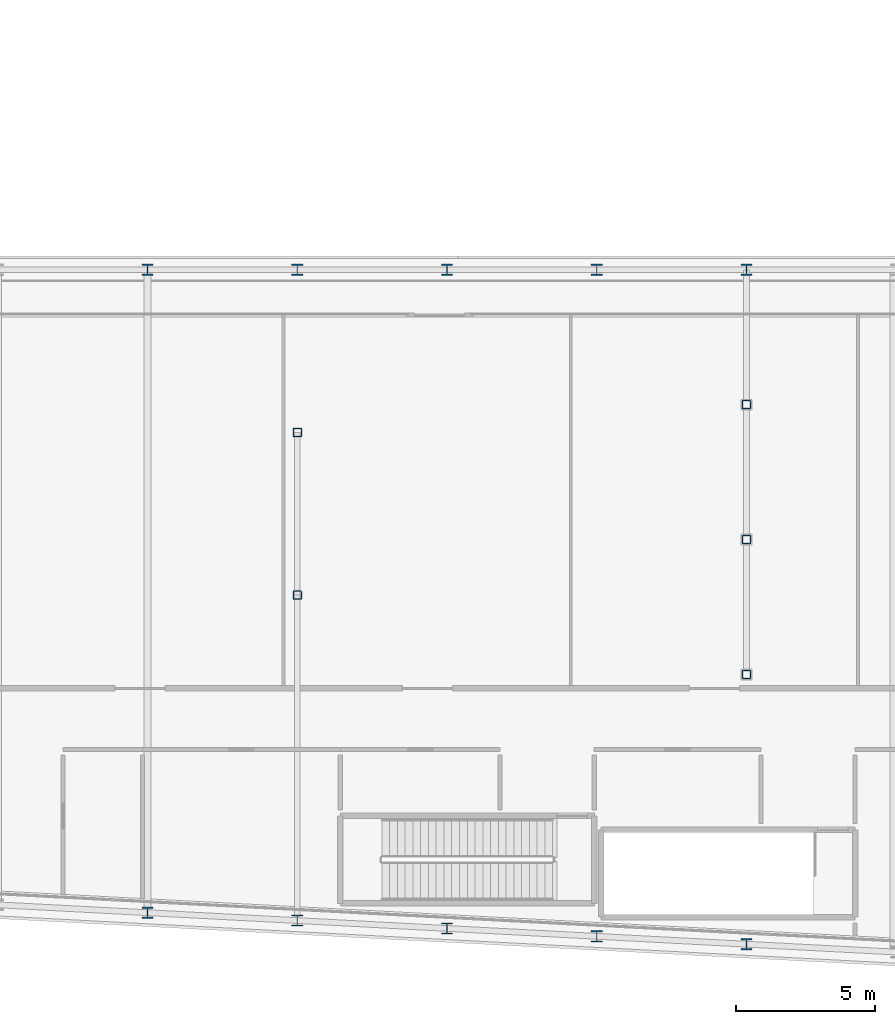
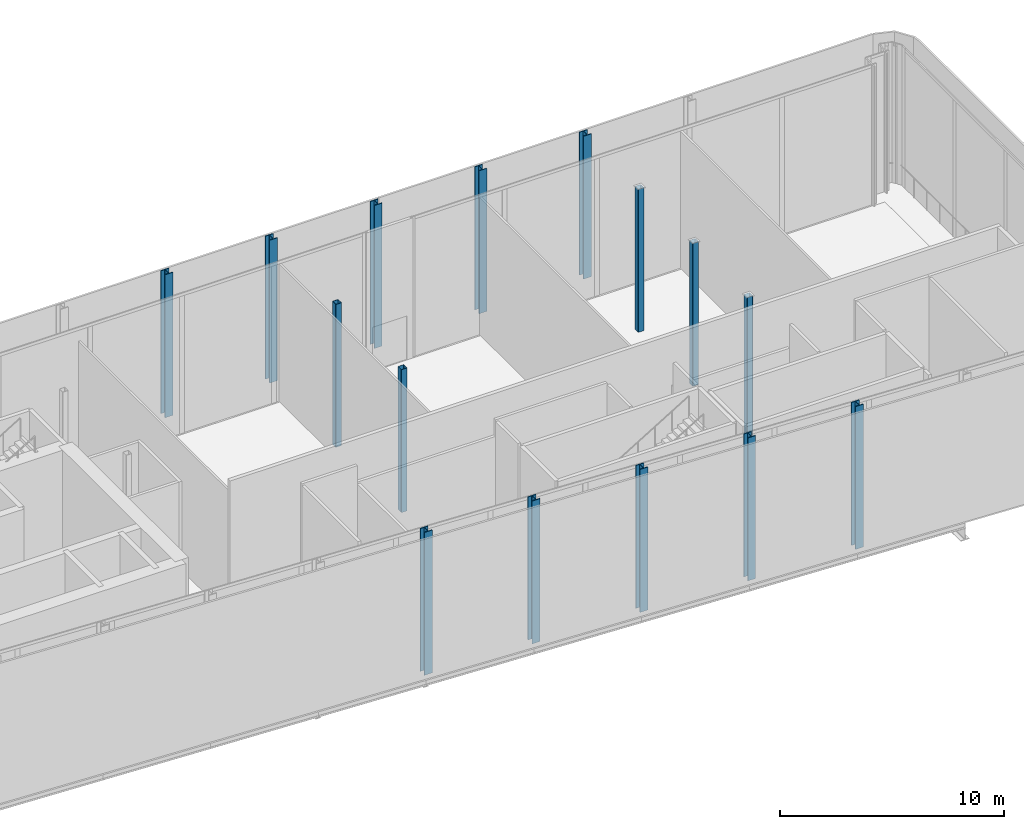
# One storey, part 2 of 38: 15 columns.
"""IFC4 building model written with IfcOpenShell, lengths in metres."""

from ifc_helpers import new_model, si_unit, direction, frame, origin, origin_2d, place, context, subcontext, project, spatial, hollow_rectangle, i_section, extrude, material, material_profile, profile_set, type_object, element, save


model = new_model("IFC4")

# Units and contexts
model_context = context("Model", 3, precision=1e-05, world=origin(), true_north=direction((0.0, 1.0)))
body_context = subcontext(model_context, "Body", "Model", "MODEL_VIEW")
ifc_project = project(units=[si_unit("LENGTHUNIT", "METRE"), si_unit("AREAUNIT", "SQUARE_METRE"), si_unit("VOLUMEUNIT", "CUBIC_METRE"), si_unit("PLANEANGLEUNIT", "RADIAN"), si_unit("MASSUNIT", "GRAM", prefix="KILO")], contexts=[model_context])

# Site, building, storey
site_placement = place(None, origin())
site = spatial("IfcSite", under=ifc_project, at=site_placement, CompositionType="ELEMENT")
building_placement = place(site_placement, origin())
building = spatial("IfcBuilding", under=site, at=building_placement, Name="Kheshtan School and Residences Tower", CompositionType="ELEMENT")
storey_placement = place(building_placement, frame((0.0, 0.0, 203.300048828125)))
storey = spatial("IfcBuildingStorey", under=building, at=storey_placement, Name="L48", CompositionType="ELEMENT", Elevation=203.300048828125)

# Columns
ifc_material_1 = material(Name="Steel ASTM A992 Grade 50", Category="steel")
ifc_material_profile_1 = material_profile(ifc_material_1, i_section(OverallWidth=0.404052734375, OverallDepth=0.406982421875, WebThickness=0.027099609375, FlangeThickness=0.043701171875, FilletRadius=0.01220703125, at=origin_2d()), Name="W360x347")
ifc_profile_set_1 = profile_set([ifc_material_profile_1], Name="Steel ASTM A992 Grade 50")
column_type_1 = type_object("IfcColumnType", Name="Column C4 W360x347 ASTM A992 Grade 50", PredefinedType="COLUMN", material=ifc_profile_set_1)
for number, where, z_axis, x_axis, name in (
    (1, (85.39990234375, 21.27392578125, 0.0), (0.0, 0.0, 1.0), (1.0, 0.0, 0.0), "Column C008"),
    (2, (80.0, 21.55810546875, 0.0), (0.0, 0.0, 1.0), (1.0, 0.0, 0.0), "Column C012"),
    (3, (74.60009765625, 21.843017578125, 0.0), (0.0, 0.0, 1.0), (1.0, 0.0, 0.0), "Column C013"),
    (4, (69.199951171875, 22.126953125, 0.0), (0.0, 0.0, 1.0), (1.0, 0.0, 0.0), "Column C014"),
    (5, (63.800048828125, 22.410888671875, 0.0), (0.0, 0.0, 1.0), (1.0, 0.0, 0.0), "Column C016"),
    (6, (63.800048828125, 45.60009765625, 0.0), (0.0, 0.0, 1.0), (1.0, 0.0, 0.0), "Column C063"),
    (7, (69.199951171875, 45.60009765625, 0.0), (0.0, 0.0, 1.0), (1.0, 0.0, 0.0), "Column C064"),
    (8, (74.60009765625, 45.60009765625, 0.0), (0.0, 0.0, 1.0), (1.0, 0.0, 0.0), "Column C065"),
    (9, (80.0, 45.60009765625, 0.0), (0.0, 0.0, 1.0), (1.0, 0.0, 0.0), "Column C066"),
    (10, (85.39990234375, 45.60009765625, 0.0), (0.0, 0.0, 1.0), (1.0, 0.0, 0.0), "Column C067"),
):
    element("IfcColumn", number, at=place(storey_placement, frame(where, z_axis=z_axis, x_axis=x_axis)), inside=storey, type_object=column_type_1, Name=name, PredefinedType="COLUMN", context=body_context, shape_type="SweptSolid", body=[
        extrude(i_section(OverallWidth=0.404052734375, OverallDepth=0.406982421875, WebThickness=0.027099609375, FlangeThickness=0.043701171875, FilletRadius=0.01220703125, at=origin_2d()), origin(), (0.0, 0.0, 1.0), 7.800048828125),
    ])
ifc_material_2 = material(Name="Steel ASTM A500 Grade C", Category="steel")
ifc_material_profile_2 = material_profile(ifc_material_2, hollow_rectangle(XDim=0.304931640625, YDim=0.304931640625, WallThickness=0.015869140625, InnerFilletRadius=0.015869140625, OuterFilletRadius=0.03173828125, at=origin_2d()), Name="HSS 305x305x15.9")
ifc_profile_set_2 = profile_set([ifc_material_profile_2], Name="Steel ASTM A500 Grade C")
column_type_2 = type_object("IfcColumnType", Name="Column IC2 HSS 305x305x15.9 ASTM A500 Grade C", PredefinedType="COLUMN", material=ifc_profile_set_2)
for number, where, z_axis, x_axis, name in (
    (11, (85.39990234375, 31.0048828125, 0.0), (0.0, 0.0, 1.0), (1.0, 0.0, 0.0), "Column C049"),
    (12, (69.199951171875, 33.863037109375, 0.0), (0.0, 0.0, 1.0), (1.0, 0.0, 0.0), "Column C050"),
    (13, (85.39990234375, 35.8701171875, 0.0), (0.0, 0.0, 1.0), (1.0, 0.0, 0.0), "Column C053"),
    (14, (69.199951171875, 39.73193359375, 0.0), (0.0, 0.0, 1.0), (1.0, 0.0, 0.0), "Column C054"),
    (15, (85.39990234375, 40.735107421875, 0.0), (0.0, 0.0, 1.0), (1.0, 0.0, 0.0), "Column C057"),
):
    element("IfcColumn", number, at=place(storey_placement, frame(where, z_axis=z_axis, x_axis=x_axis)), inside=storey, type_object=column_type_2, Name=name, PredefinedType="COLUMN", context=body_context, shape_type="SweptSolid", body=[
        extrude(hollow_rectangle(XDim=0.304931640625, YDim=0.304931640625, WallThickness=0.015869140625, InnerFilletRadius=0.015869140625, OuterFilletRadius=0.03173828125, at=origin_2d()), origin(), (0.0, 0.0, 1.0), 7.800048828125),
    ])

save(model, "model.ifc")
